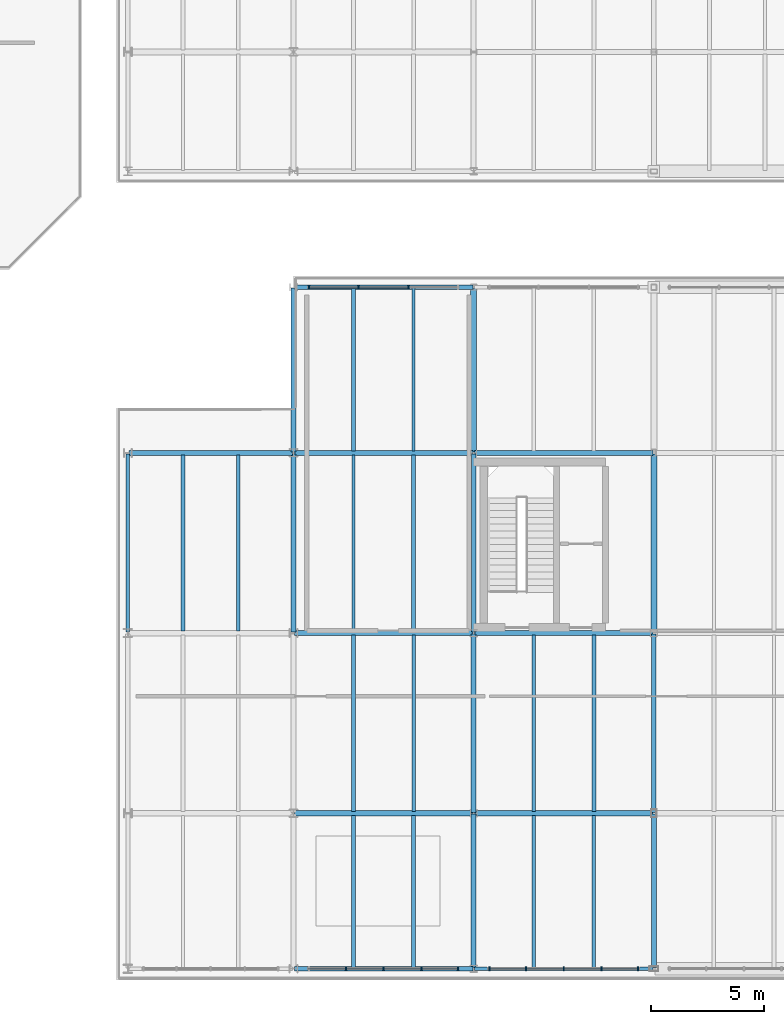
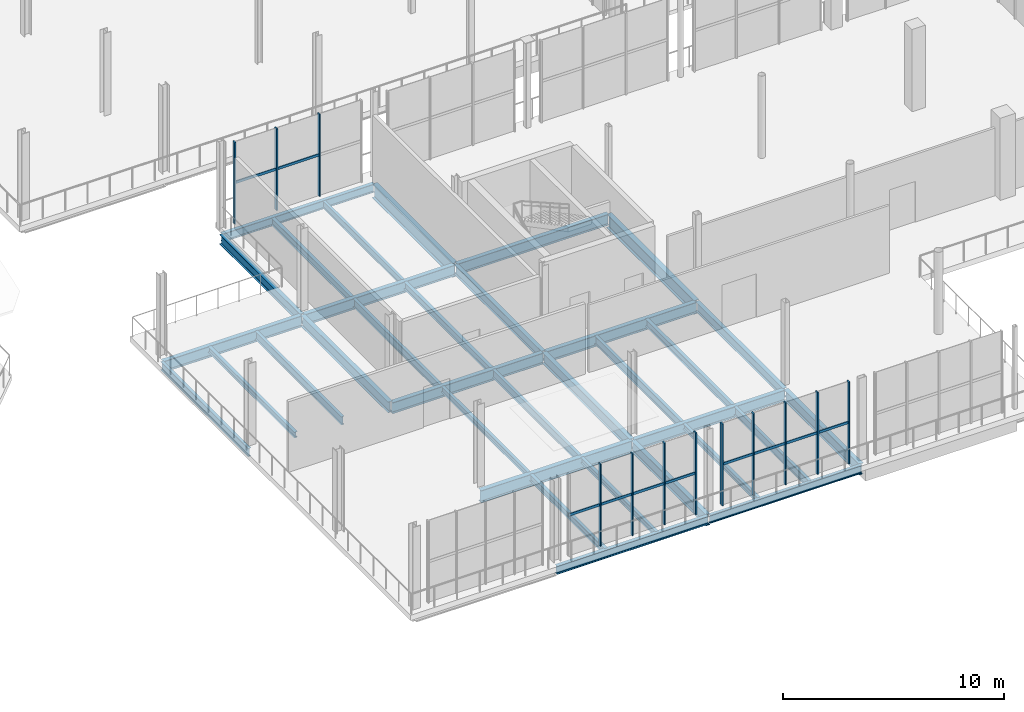
# One storey, part 38 of 93: 34 beams, 22 members, 3 elements without a shape of their own.
"""IFC4 building model written with IfcOpenShell, lengths in metres."""

from ifc_helpers import new_model, si_unit, direction, frame, origin, origin_2d, place, context, subcontext, project, spatial, rectangle, i_section, extrude, material, material_profile, profile_set, type_object, element, aggregate, save


model = new_model("IFC4")

# Units and contexts
model_context = context("Model", 3, precision=1e-05, world=origin(), true_north=direction((0.0, 1.0)))
body_context = subcontext(model_context, "Body", "Model", "MODEL_VIEW")
ifc_project = project(units=[si_unit("LENGTHUNIT", "METRE"), si_unit("AREAUNIT", "SQUARE_METRE"), si_unit("VOLUMEUNIT", "CUBIC_METRE"), si_unit("PLANEANGLEUNIT", "RADIAN"), si_unit("MASSUNIT", "GRAM", prefix="KILO")], contexts=[model_context])

# Site, building, storey
site_placement = place(None, origin())
site = spatial("IfcSite", under=ifc_project, at=site_placement, CompositionType="ELEMENT")
building_placement = place(site_placement, origin())
building = spatial("IfcBuilding", under=site, at=building_placement, Name="Brisemont Oceanarium", CompositionType="ELEMENT")
storey_placement = place(building_placement, frame((0.0, 0.0, 5.39990234375)))
storey = spatial("IfcBuildingStorey", under=building, at=storey_placement, Name="L01", CompositionType="ELEMENT", Elevation=5.39990234375)

# Beams
ifc_material_1 = material(Name="Structural Steel ASTM A992 Gr.50", Category="steel")
ifc_material_profile_1 = material_profile(ifc_material_1, i_section(OverallWidth=0.1650390625, OverallDepth=0.31005859375, WebThickness=0.005859375, FlangeThickness=0.009765625, FilletRadius=0.008056640625, at=origin_2d()), Name="W12X26")
ifc_profile_set_1 = profile_set([ifc_material_profile_1], Name="Structural Steel ASTM A992 Gr.50")
beam_type_1 = type_object("IfcBeamType", Name="BM-W12X26", PredefinedType="JOIST", material=ifc_profile_set_1)
beam_1_placement = place(storey_placement, frame((115.10009765625, 16.090087890625, -0.454833984375), z_axis=(0.0, 1.0, 0.0), x_axis=(-1.0, 0.0, 0.0)))
element("IfcBeam", 1, at=beam_1_placement, inside=storey, type_object=beam_type_1, Name="V3 L01 secondary floor beam", PredefinedType="JOIST", context=body_context, shape_type="SweptSolid", body=[
    extrude(i_section(OverallWidth=0.1650390625, OverallDepth=0.31005859375, WebThickness=0.005859375, FlangeThickness=0.009765625, FilletRadius=0.008056640625, at=origin_2d()), origin(), (0.0, 0.0, 1.0), 7.81982421875),
])
beam_2_placement = place(storey_placement, frame((125.333251953125, 1.139892578125, -0.454833984375), z_axis=(0.0, 1.0, 0.0), x_axis=(-1.0, 0.0, 0.0)))
element("IfcBeam", 2, at=beam_2_placement, inside=storey, type_object=beam_type_1, Name="V3 L01 secondary floor beam", PredefinedType="JOIST", context=body_context, shape_type="SweptSolid", body=[
    extrude(i_section(OverallWidth=0.1650390625, OverallDepth=0.31005859375, WebThickness=0.005859375, FlangeThickness=0.009765625, FilletRadius=0.008056640625, at=origin_2d()), origin(), (0.0, 0.0, 1.0), 6.77001953125),
])
beam_3_placement = place(storey_placement, frame((122.666748046875, 8.090087890625, -0.454833984375), z_axis=(0.0, 1.0, 0.0), x_axis=(-1.0, 0.0, 0.0)))
element("IfcBeam", 3, at=beam_3_placement, inside=storey, type_object=beam_type_1, Name="V3 L01 secondary floor beam", PredefinedType="JOIST", context=body_context, shape_type="SweptSolid", body=[
    extrude(i_section(OverallWidth=0.1650390625, OverallDepth=0.31005859375, WebThickness=0.005859375, FlangeThickness=0.009765625, FilletRadius=0.008056640625, at=origin_2d()), origin(), (0.0, 0.0, 1.0), 7.81982421875),
])
beam_4_placement = place(storey_placement, frame((130.666748046875, 1.139892578125, -0.454833984375), z_axis=(0.0, 1.0, 0.0), x_axis=(-1.0, 0.0, 0.0)))
element("IfcBeam", 4, at=beam_4_placement, inside=storey, type_object=beam_type_1, Name="V3 L01 secondary floor beam", PredefinedType="JOIST", context=body_context, shape_type="SweptSolid", body=[
    extrude(i_section(OverallWidth=0.1650390625, OverallDepth=0.31005859375, WebThickness=0.005859375, FlangeThickness=0.009765625, FilletRadius=0.008056640625, at=origin_2d()), origin(), (0.0, 0.0, 1.0), 6.77001953125),
])
ifc_material_2 = material(Name="Structural Steel ASTM A992 Gr.50", Category="steel")
ifc_material_profile_2 = material_profile(ifc_material_2, i_section(OverallWidth=0.1708984375, OverallDepth=0.35107421875, WebThickness=0.0068359375, FlangeThickness=0.009765625, FilletRadius=0.010009765625, at=origin_2d()), Name="W14X30")
ifc_profile_set_2 = profile_set([ifc_material_profile_2], Name="Structural Steel ASTM A992 Gr.50")
beam_type_2 = type_object("IfcBeamType", Name="BM-W14X30", PredefinedType="JOIST", material=ifc_profile_set_2)
beam_5_placement = place(storey_placement, frame((122.666748046875, 1.139892578125, -0.475341796875), z_axis=(0.0, 1.0, 0.0), x_axis=(-1.0, 0.0, 0.0)))
element("IfcBeam", 5, at=beam_5_placement, inside=storey, type_object=beam_type_2, Name="V3 L01 secondary floor beam", PredefinedType="JOIST", context=body_context, shape_type="SweptSolid", body=[
    extrude(i_section(OverallWidth=0.1708984375, OverallDepth=0.35107421875, WebThickness=0.0068359375, FlangeThickness=0.009765625, FilletRadius=0.010009765625, at=origin_2d()), origin(), (0.0, 0.0, 1.0), 6.77001953125),
])
ifc_material_3 = material(Name="Structural Steel ASTM A992 Gr.50", Category="steel")
ifc_material_profile_3 = material_profile(ifc_material_3, i_section(OverallWidth=0.139892578125, OverallDepth=0.39892578125, WebThickness=0.00634765625, FlangeThickness=0.0087890625, FilletRadius=0.010009765625, at=origin_2d()), Name="W16X26")
ifc_profile_set_3 = profile_set([ifc_material_profile_3], Name="Structural Steel ASTM A992 Gr.50")
beam_type_3 = type_object("IfcBeamType", Name="BM-W16X26", PredefinedType="JOIST", material=ifc_profile_set_3)
beam_6_placement = place(storey_placement, frame((125.333251953125, 24.090087890625, -0.49951171875), z_axis=(0.0, 1.0, 0.0), x_axis=(-1.0, 0.0, 0.0)))
element("IfcBeam", 6, at=beam_6_placement, inside=storey, type_object=beam_type_3, Name="V3 L01 secondary floor beam", PredefinedType="JOIST", context=body_context, shape_type="SweptSolid", body=[
    extrude(i_section(OverallWidth=0.139892578125, OverallDepth=0.39892578125, WebThickness=0.00634765625, FlangeThickness=0.0087890625, FilletRadius=0.010009765625, at=origin_2d()), origin(), (0.0, 0.0, 1.0), 7.219970703125),
])
ifc_material_4 = material(Name="Structural Steel ASTM A992 Gr.50", Category="steel")
ifc_material_profile_4 = material_profile(ifc_material_4, i_section(OverallWidth=0.177978515625, OverallDepth=0.404052734375, WebThickness=0.007568359375, FlangeThickness=0.010986328125, FilletRadius=0.010009765625, at=origin_2d()), Name="W16X36")
ifc_profile_set_4 = profile_set([ifc_material_profile_4], Name="Structural Steel ASTM A992 Gr.50")
beam_type_4 = type_object("IfcBeamType", Name="BM-W16X36", PredefinedType="JOIST", material=ifc_profile_set_4)
beam_7_placement = place(storey_placement, frame((125.333251953125, 16.090087890625, -0.501953125), z_axis=(0.0, 1.0, 0.0), x_axis=(-1.0, 0.0, 0.0)))
element("IfcBeam", 7, at=beam_7_placement, inside=storey, type_object=beam_type_4, Name="V3 L01 secondary floor beam", PredefinedType="JOIST", context=body_context, shape_type="SweptSolid", body=[
    extrude(i_section(OverallWidth=0.177978515625, OverallDepth=0.404052734375, WebThickness=0.007568359375, FlangeThickness=0.010986328125, FilletRadius=0.010009765625, at=origin_2d()), origin(), (0.0, 0.0, 1.0), 7.81982421875),
])
beam_8_placement = place(storey_placement, frame((122.666748046875, 24.090087890625, -0.501953125), z_axis=(0.0, 1.0, 0.0), x_axis=(-1.0, 0.0, 0.0)))
element("IfcBeam", 8, at=beam_8_placement, inside=storey, type_object=beam_type_4, Name="V3 L01 secondary floor beam", PredefinedType="JOIST", context=body_context, shape_type="SweptSolid", body=[
    extrude(i_section(OverallWidth=0.177978515625, OverallDepth=0.404052734375, WebThickness=0.007568359375, FlangeThickness=0.010986328125, FilletRadius=0.010009765625, at=origin_2d()), origin(), (0.0, 0.0, 1.0), 7.219970703125),
])
beam_9_placement = place(storey_placement, frame((133.333251953125, 8.090087890625, -0.501953125), z_axis=(0.0, 1.0, 0.0), x_axis=(-1.0, 0.0, 0.0)))
element("IfcBeam", 9, at=beam_9_placement, inside=storey, type_object=beam_type_4, Name="V3 L01 secondary floor beam", PredefinedType="JOIST", context=body_context, shape_type="SweptSolid", body=[
    extrude(i_section(OverallWidth=0.177978515625, OverallDepth=0.404052734375, WebThickness=0.007568359375, FlangeThickness=0.010986328125, FilletRadius=0.010009765625, at=origin_2d()), origin(), (0.0, 0.0, 1.0), 7.81982421875),
])
ifc_material_5 = material(Name="Structural Steel ASTM A992 Gr.50", Category="steel")
ifc_material_profile_5 = material_profile(ifc_material_5, i_section(OverallWidth=0.153076171875, OverallDepth=0.455078125, WebThickness=0.008056640625, FlangeThickness=0.01318359375, FilletRadius=0.010986328125, at=origin_2d()), Name="W18X40")
ifc_profile_set_5 = profile_set([ifc_material_profile_5], Name="Structural Steel ASTM A992 Gr.50")
beam_type_5 = type_object("IfcBeamType", Name="BM-W18X40", PredefinedType="JOIST", material=ifc_profile_set_5)
for number, where, z_axis, x_axis, name in (
    (10, (117.550048828125, 16.090087890625, -0.52734375), (0.0, 1.0, 0.0), (-1.0, 0.0, 0.0), "V3 L01 secondary floor beam"),
    (11, (125.333251953125, 8.090087890625, -0.52734375), (0.0, 1.0, 0.0), (-1.0, 0.0, 0.0), "V3 L01 secondary floor beam"),
    (12, (122.666748046875, 16.090087890625, -0.52734375), (0.0, 1.0, 0.0), (-1.0, 0.0, 0.0), "V3 L01 secondary floor beam"),
):
    element("IfcBeam", number, at=place(storey_placement, frame(where, z_axis=z_axis, x_axis=x_axis)), inside=storey, type_object=beam_type_5, Name=name, PredefinedType="JOIST", context=body_context, shape_type="SweptSolid", body=[
        extrude(i_section(OverallWidth=0.153076171875, OverallDepth=0.455078125, WebThickness=0.008056640625, FlangeThickness=0.01318359375, FilletRadius=0.010986328125, at=origin_2d()), origin(), (0.0, 0.0, 1.0), 7.81982421875),
    ])
beam_10_placement = place(storey_placement, frame((133.333251953125, 1.139892578125, -0.52734375), z_axis=(0.0, 1.0, 0.0), x_axis=(-1.0, 0.0, 0.0)))
element("IfcBeam", 13, at=beam_10_placement, inside=storey, type_object=beam_type_5, Name="V3 L01 secondary floor beam", PredefinedType="JOIST", context=body_context, shape_type="SweptSolid", body=[
    extrude(i_section(OverallWidth=0.153076171875, OverallDepth=0.455078125, WebThickness=0.008056640625, FlangeThickness=0.01318359375, FilletRadius=0.010986328125, at=origin_2d()), origin(), (0.0, 0.0, 1.0), 6.77001953125),
])
beam_11_placement = place(storey_placement, frame((130.666748046875, 8.090087890625, -0.52734375), z_axis=(0.0, 1.0, 0.0), x_axis=(-1.0, 0.0, 0.0)))
element("IfcBeam", 14, at=beam_11_placement, inside=storey, type_object=beam_type_5, Name="V3 L01 secondary floor beam", PredefinedType="JOIST", context=body_context, shape_type="SweptSolid", body=[
    extrude(i_section(OverallWidth=0.153076171875, OverallDepth=0.455078125, WebThickness=0.008056640625, FlangeThickness=0.01318359375, FilletRadius=0.010986328125, at=origin_2d()), origin(), (0.0, 0.0, 1.0), 7.81982421875),
])
ifc_material_6 = material(Name="Structural Steel ASTM A992 Gr.50", Category="steel")
ifc_material_profile_6 = material_profile(ifc_material_6, i_section(OverallWidth=0.154052734375, OverallDepth=0.458984375, WebThickness=0.009033203125, FlangeThickness=0.015380859375, FilletRadius=0.010986328125, at=origin_2d()), Name="W18X46")
ifc_profile_set_6 = profile_set([ifc_material_profile_6], Name="Structural Steel ASTM A992 Gr.50")
beam_type_6 = type_object("IfcBeamType", Name="BM-W18X46", PredefinedType="SPANDREL", material=ifc_profile_set_6)
for number, where, z_axis, x_axis, name in (
    (15, (128.0400390625, 1.10009765625, -0.529296875), (1.0, 0.0, 0.0), (0.0, 1.0, 0.0), "V3 L01 EW girder"),
    (16, (112.64990234375, 16.0400390625, -0.529296875), (0.0, 1.0, 0.0), (-1.0, 0.0, 0.0), "V3 L01 NS girder"),
):
    element("IfcBeam", number, at=place(storey_placement, frame(where, z_axis=z_axis, x_axis=x_axis)), inside=storey, type_object=beam_type_6, Name=name, PredefinedType="SPANDREL", context=body_context, shape_type="SweptSolid", body=[
        extrude(i_section(OverallWidth=0.154052734375, OverallDepth=0.458984375, WebThickness=0.009033203125, FlangeThickness=0.015380859375, FilletRadius=0.010986328125, at=origin_2d()), origin(), (0.0, 0.0, 1.0), 7.919921875),
    ])
ifc_material_7 = material(Name="Structural Steel ASTM A992 Gr.50", Category="steel")
ifc_material_profile_7 = material_profile(ifc_material_7, i_section(OverallWidth=0.19091796875, OverallDepth=0.4599609375, WebThickness=0.010009765625, FlangeThickness=0.01611328125, FilletRadius=0.010986328125, at=origin_2d()), Name="W18X55")
ifc_profile_set_7 = profile_set([ifc_material_profile_7], Name="Structural Steel ASTM A992 Gr.50")
beam_type_7 = type_object("IfcBeamType", Name="BM-W18X55", PredefinedType="SPANDREL", material=ifc_profile_set_7)
for number, where, z_axis, x_axis, name in (
    (17, (120.0400390625, 1.10009765625, -0.52978515625), (1.0, 0.0, 0.0), (0.0, 1.0, 0.0), "V3 L01 EW girder"),
    (18, (120.0400390625, 31.35009765625, -0.52978515625), (1.0, 0.0, 0.0), (0.0, 1.0, 0.0), "V3 L01 EW girder"),
):
    element("IfcBeam", number, at=place(storey_placement, frame(where, z_axis=z_axis, x_axis=x_axis)), inside=storey, type_object=beam_type_7, Name=name, PredefinedType="SPANDREL", context=body_context, shape_type="SweptSolid", body=[
        extrude(i_section(OverallWidth=0.19091796875, OverallDepth=0.4599609375, WebThickness=0.010009765625, FlangeThickness=0.01611328125, FilletRadius=0.010986328125, at=origin_2d()), origin(), (0.0, 0.0, 1.0), 7.919921875),
    ])
ifc_material_8 = material(Name="Structural Steel ASTM A992 Gr.50", Category="steel")
ifc_material_profile_8 = material_profile(ifc_material_8, i_section(OverallWidth=0.2099609375, OverallDepth=0.532958984375, WebThickness=0.01025390625, FlangeThickness=0.015625, FilletRadius=0.012939453125, at=origin_2d()), Name="W21X62")
ifc_profile_set_8 = profile_set([ifc_material_profile_8], Name="Structural Steel ASTM A992 Gr.50")
beam_type_8 = type_object("IfcBeamType", Name="BM-W21X62", PredefinedType="BEAM", material=ifc_profile_set_8)
beam_12_placement = place(storey_placement, frame((120.0, 24.0400390625, -0.56640625), z_axis=(0.0, 1.0, 0.0), x_axis=(-1.0, 0.0, 0.0)))
element("IfcBeam", 19, at=beam_12_placement, inside=storey, type_object=beam_type_8, Name="V3 L01 NS girder", PredefinedType="BEAM", context=body_context, shape_type="SweptSolid", body=[
    extrude(i_section(OverallWidth=0.2099609375, OverallDepth=0.532958984375, WebThickness=0.01025390625, FlangeThickness=0.015625, FilletRadius=0.012939453125, at=origin_2d()), origin(), (0.0, 0.0, 1.0), 7.27001953125),
])
for number, where, z_axis, x_axis, name in (
    (20, (128.0, 16.0400390625, -0.56640625), (0.0, 1.0, 0.0), (-1.0, 0.0, 0.0), "V3 L01 NS girder"),
    (21, (136.0, 8.0400390625, -0.56640625), (0.0, 1.0, 0.0), (-1.0, 0.0, 0.0), "V3 L01 NS girder"),
):
    element("IfcBeam", number, at=place(storey_placement, frame(where, z_axis=z_axis, x_axis=x_axis)), inside=storey, type_object=beam_type_8, Name=name, PredefinedType="BEAM", context=body_context, shape_type="SweptSolid", body=[
        extrude(i_section(OverallWidth=0.2099609375, OverallDepth=0.532958984375, WebThickness=0.01025390625, FlangeThickness=0.015625, FilletRadius=0.012939453125, at=origin_2d()), origin(), (0.0, 0.0, 1.0), 7.919921875),
    ])
ifc_material_9 = material(Name="Structural Steel ASTM A992 Gr.50", Category="steel")
ifc_material_profile_9 = material_profile(ifc_material_9, i_section(OverallWidth=0.22802734375, OverallDepth=0.60205078125, WebThickness=0.010498046875, FlangeThickness=0.014892578125, FilletRadius=0.012939453125, at=origin_2d()), Name="W24X68")
ifc_profile_set_9 = profile_set([ifc_material_profile_9], Name="Structural Steel ASTM A992 Gr.50")
beam_type_9 = type_object("IfcBeamType", Name="BM-W24X68", PredefinedType="BEAM", material=ifc_profile_set_9)
for number, where, z_axis, x_axis, name in (
    (22, (128.0400390625, 24.0, -0.600830078125), (1.0, 0.0, 0.0), (0.0, 1.0, 0.0), "V3 L01 EW girder"),
    (23, (120.0, 16.0400390625, -0.600830078125), (0.0, 1.0, 0.0), (-1.0, 0.0, 0.0), "V3 L01 NS girder"),
    (24, (128.0, 8.0400390625, -0.600830078125), (0.0, 1.0, 0.0), (-1.0, 0.0, 0.0), "V3 L01 NS girder"),
):
    element("IfcBeam", number, at=place(storey_placement, frame(where, z_axis=z_axis, x_axis=x_axis)), inside=storey, type_object=beam_type_9, Name=name, PredefinedType="BEAM", context=body_context, shape_type="SweptSolid", body=[
        extrude(i_section(OverallWidth=0.22802734375, OverallDepth=0.60205078125, WebThickness=0.010498046875, FlangeThickness=0.014892578125, FilletRadius=0.012939453125, at=origin_2d()), origin(), (0.0, 0.0, 1.0), 7.919921875),
    ])
beam_13_placement = place(storey_placement, frame((136.0, 1.139892578125, -0.600830078125), z_axis=(0.0, 1.0, 0.0), x_axis=(-1.0, 0.0, 0.0)))
element("IfcBeam", 25, at=beam_13_placement, inside=storey, type_object=beam_type_9, Name="V3 L01 NS girder", PredefinedType="BEAM", context=body_context, shape_type="SweptSolid", body=[
    extrude(i_section(OverallWidth=0.22802734375, OverallDepth=0.60205078125, WebThickness=0.010498046875, FlangeThickness=0.014892578125, FilletRadius=0.012939453125, at=origin_2d()), origin(), (0.0, 0.0, 1.0), 6.820068359375),
])
ifc_material_10 = material(Name="Structural Steel ASTM A992 Gr.50", Category="steel")
ifc_material_profile_10 = material_profile(ifc_material_10, i_section(OverallWidth=0.22802734375, OverallDepth=0.60791015625, WebThickness=0.01123046875, FlangeThickness=0.017333984375, FilletRadius=0.012939453125, at=origin_2d()), Name="W24X76")
ifc_profile_set_10 = profile_set([ifc_material_profile_10], Name="Structural Steel ASTM A992 Gr.50")
beam_type_10 = type_object("IfcBeamType", Name="BM-W24X76", PredefinedType="BEAM", material=ifc_profile_set_10)
for number, where, z_axis, x_axis, name in (
    (26, (128.0400390625, 16.0, -0.60400390625), (1.0, 0.0, 0.0), (0.0, 1.0, 0.0), "V3 L01 EW girder"),
    (27, (120.0400390625, 24.0, -0.60400390625), (1.0, 0.0, 0.0), (0.0, 1.0, 0.0), "V3 L01 EW girder"),
):
    element("IfcBeam", number, at=place(storey_placement, frame(where, z_axis=z_axis, x_axis=x_axis)), inside=storey, type_object=beam_type_10, Name=name, PredefinedType="BEAM", context=body_context, shape_type="SweptSolid", body=[
        extrude(i_section(OverallWidth=0.22802734375, OverallDepth=0.60791015625, WebThickness=0.01123046875, FlangeThickness=0.017333984375, FilletRadius=0.012939453125, at=origin_2d()), origin(), (0.0, 0.0, 1.0), 7.919921875),
    ])
beam_14_placement = place(storey_placement, frame((128.0, 1.139892578125, -0.60400390625), z_axis=(0.0, 1.0, 0.0), x_axis=(-1.0, 0.0, 0.0)))
element("IfcBeam", 28, at=beam_14_placement, inside=storey, type_object=beam_type_10, Name="V3 L01 NS girder", PredefinedType="BEAM", context=body_context, shape_type="SweptSolid", body=[
    extrude(i_section(OverallWidth=0.22802734375, OverallDepth=0.60791015625, WebThickness=0.01123046875, FlangeThickness=0.017333984375, FilletRadius=0.012939453125, at=origin_2d()), origin(), (0.0, 0.0, 1.0), 6.820068359375),
])
ifc_material_11 = material(Name="Structural Steel ASTM A992 Gr.50", Category="steel")
ifc_material_profile_11 = material_profile(ifc_material_11, i_section(OverallWidth=0.22900390625, OverallDepth=0.612060546875, WebThickness=0.011962890625, FlangeThickness=0.01953125, FilletRadius=0.012939453125, at=origin_2d()), Name="W24X84")
ifc_profile_set_11 = profile_set([ifc_material_profile_11], Name="Structural Steel ASTM A992 Gr.50")
beam_type_11 = type_object("IfcBeamType", Name="BM-W24X84", PredefinedType="BEAM", material=ifc_profile_set_11)
for number, where, z_axis, x_axis, name in (
    (29, (128.0400390625, 8.0, -0.60595703125), (1.0, 0.0, 0.0), (0.0, 1.0, 0.0), "V3 L01 EW girder"),
    (30, (120.0400390625, 16.0, -0.60595703125), (1.0, 0.0, 0.0), (0.0, 1.0, 0.0), "V3 L01 EW girder"),
):
    element("IfcBeam", number, at=place(storey_placement, frame(where, z_axis=z_axis, x_axis=x_axis)), inside=storey, type_object=beam_type_11, Name=name, PredefinedType="BEAM", context=body_context, shape_type="SweptSolid", body=[
        extrude(i_section(OverallWidth=0.22900390625, OverallDepth=0.612060546875, WebThickness=0.011962890625, FlangeThickness=0.01953125, FilletRadius=0.012939453125, at=origin_2d()), origin(), (0.0, 0.0, 1.0), 7.919921875),
    ])
beam_15_placement = place(storey_placement, frame((112.68994140625, 24.0, -0.60595703125), z_axis=(1.0, 0.0, 0.0), x_axis=(0.0, 1.0, 0.0)))
element("IfcBeam", 31, at=beam_15_placement, inside=storey, type_object=beam_type_11, Name="V3 L01 EW girder", PredefinedType="BEAM", context=body_context, shape_type="SweptSolid", body=[
    extrude(i_section(OverallWidth=0.22900390625, OverallDepth=0.612060546875, WebThickness=0.011962890625, FlangeThickness=0.01953125, FilletRadius=0.012939453125, at=origin_2d()), origin(), (0.0, 0.0, 1.0), 7.27001953125),
])
ifc_material_12 = material(Name="Structural Steel ASTM A992 Gr.50", Category="steel")
ifc_material_profile_12 = material_profile(ifc_material_12, i_section(OverallWidth=0.2529296875, OverallDepth=0.677978515625, WebThickness=0.01171875, FlangeThickness=0.016357421875, FilletRadius=0.014892578125, at=origin_2d()), Name="W27X84")
ifc_profile_set_12 = profile_set([ifc_material_profile_12], Name="Structural Steel ASTM A992 Gr.50")
beam_type_12 = type_object("IfcBeamType", Name="BM-W27X84", PredefinedType="BEAM", material=ifc_profile_set_12)
beam_16_placement = place(storey_placement, frame((120.0400390625, 8.0, -0.638916015625), z_axis=(1.0, 0.0, 0.0), x_axis=(0.0, 1.0, 0.0)))
element("IfcBeam", 32, at=beam_16_placement, inside=storey, type_object=beam_type_12, Name="V3 L01 EW girder", PredefinedType="BEAM", context=body_context, shape_type="SweptSolid", body=[
    extrude(i_section(OverallWidth=0.2529296875, OverallDepth=0.677978515625, WebThickness=0.01171875, FlangeThickness=0.016357421875, FilletRadius=0.014892578125, at=origin_2d()), origin(), (0.0, 0.0, 1.0), 7.919921875),
])
ifc_material_13 = material(Name="Structural Steel ASTM A992 Gr.50", Category="steel")
ifc_material_profile_13 = material_profile(ifc_material_13, i_section(OverallWidth=0.26708984375, OverallDepth=0.761962890625, WebThickness=0.014404296875, FlangeThickness=0.021484375, FilletRadius=0.01611328125, at=origin_2d()), Name="W30X116")
ifc_profile_set_13 = profile_set([ifc_material_profile_13], Name="Structural Steel ASTM A992 Gr.50")
beam_type_13 = type_object("IfcBeamType", Name="BM-W30X116", PredefinedType="BEAM", material=ifc_profile_set_13)
beam_17_placement = place(storey_placement, frame((128.0, 24.0400390625, -0.680908203125), z_axis=(0.0, 1.0, 0.0), x_axis=(-1.0, 0.0, 0.0)))
element("IfcBeam", 33, at=beam_17_placement, inside=storey, type_object=beam_type_13, Name="V3 L01 NS girder", PredefinedType="BEAM", context=body_context, shape_type="SweptSolid", body=[
    extrude(i_section(OverallWidth=0.26708984375, OverallDepth=0.761962890625, WebThickness=0.014404296875, FlangeThickness=0.021484375, FilletRadius=0.01611328125, at=origin_2d()), origin(), (0.0, 0.0, 1.0), 7.27001953125),
])
beam_18_placement = place(storey_placement, frame((136.0, 16.0400390625, -0.680908203125), z_axis=(0.0, 1.0, 0.0), x_axis=(-1.0, 0.0, 0.0)))
element("IfcBeam", 34, at=beam_18_placement, inside=storey, type_object=beam_type_13, Name="V3 L01 NS girder", PredefinedType="BEAM", context=body_context, shape_type="SweptSolid", body=[
    extrude(i_section(OverallWidth=0.26708984375, OverallDepth=0.761962890625, WebThickness=0.014404296875, FlangeThickness=0.021484375, FilletRadius=0.01611328125, at=origin_2d()), origin(), (0.0, 0.0, 1.0), 7.919921875),
])

# Curtain wall, members
ifc_material_14 = material(Name="Anodized Extruded Aluminum 6063-T6", Category="aluminium")
curtain_wall_type_1 = type_object("IfcCurtainWallType", Name="CW-EDU-69X45", PredefinedType="NOTDEFINED", material=ifc_material_14)
curtain_wall_1_placement = place(storey_placement, origin())
curtain_wall_1 = element("IfcCurtainWall", 35, at=curtain_wall_1_placement, inside=storey, type_object=curtain_wall_type_1, Name="CW-07 curtain wall CW-V3-S-L01-02", PredefinedType="NOTDEFINED")
ifc_material_15 = material(Name="Anodized Extruded Aluminum 6063-T6", Category="aluminium")
ifc_material_profile_14 = material_profile(ifc_material_15, rectangle(XDim=0.06494140625, YDim=0.179931640625, at=origin_2d()), Name="CWM-65X180")
ifc_profile_set_14 = profile_set([ifc_material_profile_14], Name="Anodized Extruded Aluminum 6063-T6")
member_type_1 = type_object("IfcMemberType", Name="MEM-CWM-65", PredefinedType="MULLION", material=ifc_profile_set_14)
member_1_placement = place(storey_placement, frame((122.324951171875, 1.10009765625, 0.0), z_axis=(0.0, 0.0, 1.0), x_axis=(1.0, 0.0, 0.0)))
member_1 = element("IfcMember", 36, at=member_1_placement, type_object=member_type_1, Name="CW-V3-S-L01-02 mullion 2", PredefinedType="MULLION", context=body_context, shape_type="SweptSolid", body=[
    extrude(rectangle(XDim=0.06494140625, YDim=0.179931640625, at=origin_2d()), origin(), (0.0, 0.0, 1.0), 4.52001953125),
])
member_2_placement = place(storey_placement, frame((124.0, 1.10009765625, 0.0), z_axis=(0.0, 0.0, 1.0), x_axis=(1.0, 0.0, 0.0)))
member_2 = element("IfcMember", 37, at=member_2_placement, type_object=member_type_1, Name="CW-V3-S-L01-02 mullion 3", PredefinedType="MULLION", context=body_context, shape_type="SweptSolid", body=[
    extrude(rectangle(XDim=0.06494140625, YDim=0.179931640625, at=origin_2d()), origin(), (0.0, 0.0, 1.0), 4.52001953125),
])
member_3_placement = place(storey_placement, frame((125.675048828125, 1.10009765625, 0.0), z_axis=(0.0, 0.0, 1.0), x_axis=(1.0, 0.0, 0.0)))
member_3 = element("IfcMember", 38, at=member_3_placement, type_object=member_type_1, Name="CW-V3-S-L01-02 mullion 4", PredefinedType="MULLION", context=body_context, shape_type="SweptSolid", body=[
    extrude(rectangle(XDim=0.06494140625, YDim=0.179931640625, at=origin_2d()), origin(), (0.0, 0.0, 1.0), 4.52001953125),
])
member_4_placement = place(storey_placement, frame((127.304931640625, 1.10009765625, 0.0), z_axis=(0.0, 0.0, 1.0), x_axis=(1.0, 0.0, 0.0)))
member_4 = element("IfcMember", 39, at=member_4_placement, type_object=member_type_1, Name="CW-V3-S-L01-02 mullion 5", PredefinedType="MULLION", context=body_context, shape_type="SweptSolid", body=[
    extrude(rectangle(XDim=0.06494140625, YDim=0.179931640625, at=origin_2d()), origin(), (0.0, 0.0, 1.0), 4.52001953125),
])

curtain_wall_2_placement = place(storey_placement, origin())
curtain_wall_2 = element("IfcCurtainWall", 40, at=curtain_wall_2_placement, inside=storey, type_object=curtain_wall_type_1, Name="CW-07 curtain wall CW-V3-S-L01-03", PredefinedType="NOTDEFINED")
member_5_placement = place(storey_placement, frame((128.695068359375, 1.10009765625, 0.0), z_axis=(0.0, 0.0, 1.0), x_axis=(1.0, 0.0, 0.0)))
member_5 = element("IfcMember", 41, at=member_5_placement, type_object=member_type_1, Name="CW-V3-S-L01-03 mullion 1", PredefinedType="MULLION", context=body_context, shape_type="SweptSolid", body=[
    extrude(rectangle(XDim=0.06494140625, YDim=0.179931640625, at=origin_2d()), origin(), (0.0, 0.0, 1.0), 4.52001953125),
])
member_6_placement = place(storey_placement, frame((130.324951171875, 1.10009765625, 0.0), z_axis=(0.0, 0.0, 1.0), x_axis=(1.0, 0.0, 0.0)))
member_6 = element("IfcMember", 42, at=member_6_placement, type_object=member_type_1, Name="CW-V3-S-L01-03 mullion 2", PredefinedType="MULLION", context=body_context, shape_type="SweptSolid", body=[
    extrude(rectangle(XDim=0.06494140625, YDim=0.179931640625, at=origin_2d()), origin(), (0.0, 0.0, 1.0), 4.52001953125),
])
member_7_placement = place(storey_placement, frame((132.0, 1.10009765625, 0.0), z_axis=(0.0, 0.0, 1.0), x_axis=(1.0, 0.0, 0.0)))
member_7 = element("IfcMember", 43, at=member_7_placement, type_object=member_type_1, Name="CW-V3-S-L01-03 mullion 3", PredefinedType="MULLION", context=body_context, shape_type="SweptSolid", body=[
    extrude(rectangle(XDim=0.06494140625, YDim=0.179931640625, at=origin_2d()), origin(), (0.0, 0.0, 1.0), 4.52001953125),
])
member_8_placement = place(storey_placement, frame((133.675048828125, 1.10009765625, 0.0), z_axis=(0.0, 0.0, 1.0), x_axis=(1.0, 0.0, 0.0)))
member_8 = element("IfcMember", 44, at=member_8_placement, type_object=member_type_1, Name="CW-V3-S-L01-03 mullion 4", PredefinedType="MULLION", context=body_context, shape_type="SweptSolid", body=[
    extrude(rectangle(XDim=0.06494140625, YDim=0.179931640625, at=origin_2d()), origin(), (0.0, 0.0, 1.0), 4.52001953125),
])
member_9_placement = place(storey_placement, frame((135.304931640625, 1.10009765625, 0.0), z_axis=(0.0, 0.0, 1.0), x_axis=(1.0, 0.0, 0.0)))
member_9 = element("IfcMember", 45, at=member_9_placement, type_object=member_type_1, Name="CW-V3-S-L01-03 mullion 5", PredefinedType="MULLION", context=body_context, shape_type="SweptSolid", body=[
    extrude(rectangle(XDim=0.06494140625, YDim=0.179931640625, at=origin_2d()), origin(), (0.0, 0.0, 1.0), 4.52001953125),
])

ifc_material_16 = material(Name="Anodized Extruded Aluminum 6063-T6", Category="aluminium")
curtain_wall_type_2 = type_object("IfcCurtainWallType", Name="CW-EDU-58X43", PredefinedType="NOTDEFINED", material=ifc_material_16)
curtain_wall_3_placement = place(storey_placement, origin())
curtain_wall_3 = element("IfcCurtainWall", 46, at=curtain_wall_3_placement, inside=storey, type_object=curtain_wall_type_2, Name="CW-10 curtain wall CW-V3-N-L01-01", PredefinedType="NOTDEFINED")
member_10_placement = place(storey_placement, frame((120.695068359375, 31.35009765625, 0.0), z_axis=(0.0, 0.0, 1.0), x_axis=(1.0, 0.0, 0.0)))
member_10 = element("IfcMember", 47, at=member_10_placement, type_object=member_type_1, Name="CW-V3-N-L01-01 mullion 1", PredefinedType="MULLION", context=body_context, shape_type="SweptSolid", body=[
    extrude(rectangle(XDim=0.06494140625, YDim=0.179931640625, at=origin_2d()), origin(), (0.0, 0.0, 1.0), 4.52001953125),
])
member_11_placement = place(storey_placement, frame((122.88330078125, 31.35009765625, 0.0), z_axis=(0.0, 0.0, 1.0), x_axis=(1.0, 0.0, 0.0)))
member_11 = element("IfcMember", 48, at=member_11_placement, type_object=member_type_1, Name="CW-V3-N-L01-01 mullion 2", PredefinedType="MULLION", context=body_context, shape_type="SweptSolid", body=[
    extrude(rectangle(XDim=0.06494140625, YDim=0.179931640625, at=origin_2d()), origin(), (0.0, 0.0, 1.0), 4.52001953125),
])
member_12_placement = place(storey_placement, frame((125.11669921875, 31.35009765625, 0.0), z_axis=(0.0, 0.0, 1.0), x_axis=(1.0, 0.0, 0.0)))
member_12 = element("IfcMember", 49, at=member_12_placement, type_object=member_type_1, Name="CW-V3-N-L01-01 mullion 3", PredefinedType="MULLION", context=body_context, shape_type="SweptSolid", body=[
    extrude(rectangle(XDim=0.06494140625, YDim=0.179931640625, at=origin_2d()), origin(), (0.0, 0.0, 1.0), 4.52001953125),
])

# Member
ifc_material_17 = material(Name="Anodized Extruded Aluminum 6063-T6", Category="aluminium")
ifc_material_profile_15 = material_profile(ifc_material_17, rectangle(XDim=0.06494140625, YDim=0.139892578125, at=origin_2d()), Name="CWT-65X140")
ifc_profile_set_15 = profile_set([ifc_material_profile_15], Name="Anodized Extruded Aluminum 6063-T6")
member_type_2 = type_object("IfcMemberType", Name="MEM-CWT-65", PredefinedType="USERDEFINED", material=ifc_profile_set_15)
member_13_placement = place(storey_placement, frame((120.6650390625, 1.10009765625, 2.260009765625), z_axis=(1.0, 0.0, 0.0), x_axis=(0.0, 1.0, 0.0)))
member_13 = element("IfcMember", 50, at=member_13_placement, type_object=member_type_2, Name="CW-V3-S-L01-02 transom 1.1", ObjectType="TRANSOM", PredefinedType="USERDEFINED", context=body_context, shape_type="SweptSolid", body=[
    extrude(rectangle(XDim=0.06494140625, YDim=0.139892578125, at=origin_2d()), origin(), (0.0, 0.0, 1.0), 1.64501953125),
])

member_14_placement = place(storey_placement, frame((122.340087890625, 1.10009765625, 2.260009765625), z_axis=(1.0, 0.0, 0.0), x_axis=(0.0, 1.0, 0.0)))
member_14 = element("IfcMember", 51, at=member_14_placement, type_object=member_type_2, Name="CW-V3-S-L01-02 transom 2.1", ObjectType="TRANSOM", PredefinedType="USERDEFINED", context=body_context, shape_type="SweptSolid", body=[
    extrude(rectangle(XDim=0.06494140625, YDim=0.139892578125, at=origin_2d()), origin(), (0.0, 0.0, 1.0), 1.64501953125),
])

member_15_placement = place(storey_placement, frame((124.014892578125, 1.10009765625, 2.260009765625), z_axis=(1.0, 0.0, 0.0), x_axis=(0.0, 1.0, 0.0)))
member_15 = element("IfcMember", 52, at=member_15_placement, type_object=member_type_2, Name="CW-V3-S-L01-02 transom 3.1", ObjectType="TRANSOM", PredefinedType="USERDEFINED", context=body_context, shape_type="SweptSolid", body=[
    extrude(rectangle(XDim=0.06494140625, YDim=0.139892578125, at=origin_2d()), origin(), (0.0, 0.0, 1.0), 1.64501953125),
])

member_16_placement = place(storey_placement, frame((125.68994140625, 1.10009765625, 2.260009765625), z_axis=(1.0, 0.0, 0.0), x_axis=(0.0, 1.0, 0.0)))
member_16 = element("IfcMember", 53, at=member_16_placement, type_object=member_type_2, Name="CW-V3-S-L01-02 transom 4.1", ObjectType="TRANSOM", PredefinedType="USERDEFINED", context=body_context, shape_type="SweptSolid", body=[
    extrude(rectangle(XDim=0.06494140625, YDim=0.139892578125, at=origin_2d()), origin(), (0.0, 0.0, 1.0), 1.64501953125),
])

aggregate(curtain_wall_1, [member_1, member_2, member_3, member_4, member_13, member_14, member_15, member_16])

member_17_placement = place(storey_placement, frame((128.6650390625, 1.10009765625, 2.260009765625), z_axis=(1.0, 0.0, 0.0), x_axis=(0.0, 1.0, 0.0)))
member_17 = element("IfcMember", 54, at=member_17_placement, type_object=member_type_2, Name="CW-V3-S-L01-03 transom 1.1", ObjectType="TRANSOM", PredefinedType="USERDEFINED", context=body_context, shape_type="SweptSolid", body=[
    extrude(rectangle(XDim=0.06494140625, YDim=0.139892578125, at=origin_2d()), origin(), (0.0, 0.0, 1.0), 1.64501953125),
])

member_18_placement = place(storey_placement, frame((130.340087890625, 1.10009765625, 2.260009765625), z_axis=(1.0, 0.0, 0.0), x_axis=(0.0, 1.0, 0.0)))
member_18 = element("IfcMember", 55, at=member_18_placement, type_object=member_type_2, Name="CW-V3-S-L01-03 transom 2.1", ObjectType="TRANSOM", PredefinedType="USERDEFINED", context=body_context, shape_type="SweptSolid", body=[
    extrude(rectangle(XDim=0.06494140625, YDim=0.139892578125, at=origin_2d()), origin(), (0.0, 0.0, 1.0), 1.64501953125),
])

member_19_placement = place(storey_placement, frame((132.014892578125, 1.10009765625, 2.260009765625), z_axis=(1.0, 0.0, 0.0), x_axis=(0.0, 1.0, 0.0)))
member_19 = element("IfcMember", 56, at=member_19_placement, type_object=member_type_2, Name="CW-V3-S-L01-03 transom 3.1", ObjectType="TRANSOM", PredefinedType="USERDEFINED", context=body_context, shape_type="SweptSolid", body=[
    extrude(rectangle(XDim=0.06494140625, YDim=0.139892578125, at=origin_2d()), origin(), (0.0, 0.0, 1.0), 1.64501953125),
])

member_20_placement = place(storey_placement, frame((133.68994140625, 1.10009765625, 2.260009765625), z_axis=(1.0, 0.0, 0.0), x_axis=(0.0, 1.0, 0.0)))
member_20 = element("IfcMember", 57, at=member_20_placement, type_object=member_type_2, Name="CW-V3-S-L01-03 transom 4.1", ObjectType="TRANSOM", PredefinedType="USERDEFINED", context=body_context, shape_type="SweptSolid", body=[
    extrude(rectangle(XDim=0.06494140625, YDim=0.139892578125, at=origin_2d()), origin(), (0.0, 0.0, 1.0), 1.64501953125),
])

aggregate(curtain_wall_2, [member_5, member_6, member_7, member_8, member_9, member_17, member_18, member_19, member_20])

member_21_placement = place(storey_placement, frame((120.6650390625, 31.35009765625, 2.260009765625), z_axis=(1.0, 0.0, 0.0), x_axis=(0.0, 1.0, 0.0)))
member_21 = element("IfcMember", 58, at=member_21_placement, type_object=member_type_2, Name="CW-V3-N-L01-01 transom 1.1", ObjectType="TRANSOM", PredefinedType="USERDEFINED", context=body_context, shape_type="SweptSolid", body=[
    extrude(rectangle(XDim=0.06494140625, YDim=0.139892578125, at=origin_2d()), origin(), (0.0, 0.0, 1.0), 2.203369140625),
])

member_22_placement = place(storey_placement, frame((122.898193359375, 31.35009765625, 2.260009765625), z_axis=(1.0, 0.0, 0.0), x_axis=(0.0, 1.0, 0.0)))
member_22 = element("IfcMember", 59, at=member_22_placement, type_object=member_type_2, Name="CW-V3-N-L01-01 transom 2.1", ObjectType="TRANSOM", PredefinedType="USERDEFINED", context=body_context, shape_type="SweptSolid", body=[
    extrude(rectangle(XDim=0.06494140625, YDim=0.139892578125, at=origin_2d()), origin(), (0.0, 0.0, 1.0), 2.20361328125),
])

aggregate(curtain_wall_3, [member_10, member_11, member_12, member_21, member_22])

save(model, "model.ifc")
